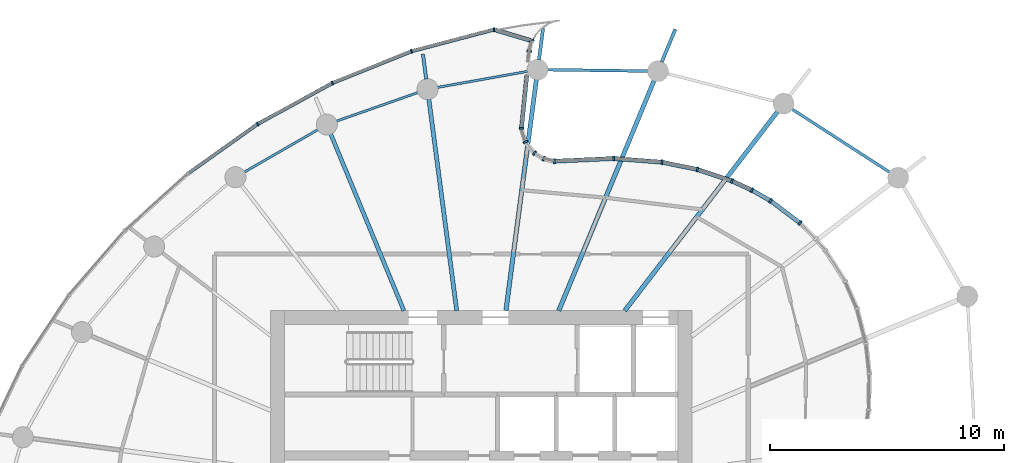
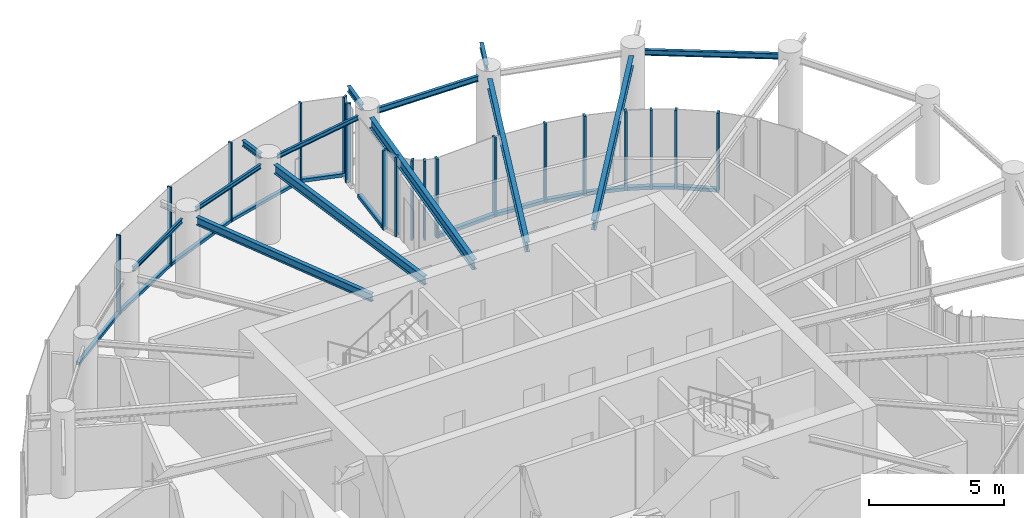
# One storey, part 7 of 17: 31 members, 13 beams, 4 elements without a shape of their own.
"""IFC4 building model written with IfcOpenShell, lengths in metres."""

from ifc_helpers import new_model, si_unit, direction, frame, origin, origin_2d, place, context, subcontext, project, spatial, rectangle, i_section, extrude, source, transform, mapped, material, layer, layer_set, material_profile, profile_set, type_object, element, aggregate, save


model = new_model("IFC4")

# Units and contexts
model_context = context("Model", 3, precision=1e-05, world=origin(), true_north=direction((0.0, 1.0)))
body_context = subcontext(model_context, "Body", "Model", "MODEL_VIEW")
ifc_project = project(units=[si_unit("LENGTHUNIT", "METRE"), si_unit("AREAUNIT", "SQUARE_METRE"), si_unit("VOLUMEUNIT", "CUBIC_METRE"), si_unit("PLANEANGLEUNIT", "RADIAN"), si_unit("MASSUNIT", "GRAM", prefix="KILO")], contexts=[model_context])

# Site, building, storey
site_placement = place(None, origin())
site = spatial("IfcSite", under=ifc_project, at=site_placement, CompositionType="ELEMENT")
building_placement = place(site_placement, origin())
building = spatial("IfcBuilding", under=site, at=building_placement, Name="Spindrift Exchange Tower", CompositionType="ELEMENT")
storey_placement = place(building_placement, frame((0.0, 0.0, 187.699951171875)))
storey = spatial("IfcBuildingStorey", under=building, at=storey_placement, Name="L45", CompositionType="ELEMENT", Elevation=187.699951171875)

# Beams
ifc_material_1 = material(Name="Steel Grade 300", Category="steel")
ifc_material_profile_1 = material_profile(ifc_material_1, i_section(OverallWidth=0.18994140625, OverallDepth=0.4541015625, WebThickness=0.008544921875, FlangeThickness=0.0126953125, FilletRadius=0.013916015625, at=origin_2d()), Name="460UB67.1")
ifc_profile_set_1 = profile_set([ifc_material_profile_1], Name="Steel Grade 300")
beam_type_1 = type_object("IfcBeamType", Name="Floor Beam 460UB67.1 Steel Grade 300", PredefinedType="BEAM", material=ifc_profile_set_1)
shared_shape_1 = source(origin(), body_context, "Body", "SweptSolid", [
    extrude(i_section(OverallWidth=0.18994140625, OverallDepth=0.4541015625, WebThickness=0.008544921875, FlangeThickness=0.0126953125, FilletRadius=0.013916015625, at=origin_2d()), origin(), (0.0, 0.0, 1.0), 10.711181640625),
])
beam_1_placement = place(storey_placement, frame((58.12646484375, 55.984130859375, 3.35302734375), z_axis=(0.608756401092, 0.793357198322, 0.0), x_axis=(-0.793357198322, 0.608756401092, 0.0)))
element("IfcBeam", 1, at=beam_1_placement, inside=storey, type_object=beam_type_1, Name="L45 radial beam R04A", PredefinedType="BEAM", context=body_context, shape_type="MappedRepresentation", body=[
    mapped(shared_shape_1, transform((0.0, 0.0, 0.0), scale=1.0)),
])
shared_shape_2 = source(origin(), body_context, "Body", "SweptSolid", [
    extrude(i_section(OverallWidth=0.18994140625, OverallDepth=0.4541015625, WebThickness=0.008544921875, FlangeThickness=0.0126953125, FilletRadius=0.013916015625, at=origin_2d()), origin(), (0.0, 0.0, 1.0), 10.64111328125),
])
beam_2_placement = place(storey_placement, frame((55.30615234375, 55.9814453125, 3.35302734375), z_axis=(0.382672627597, 0.923884007919, 0.0), x_axis=(-0.923884007919, 0.382672627597, 0.0)))
element("IfcBeam", 2, at=beam_2_placement, inside=storey, type_object=beam_type_1, Name="L45 radial beam R05A", PredefinedType="BEAM", context=body_context, shape_type="MappedRepresentation", body=[
    mapped(shared_shape_2, transform((0.0, 0.0, 0.0), scale=1.0)),
])
shared_shape_3 = source(origin(), body_context, "Body", "SweptSolid", [
    extrude(i_section(OverallWidth=0.18994140625, OverallDepth=0.4541015625, WebThickness=0.008544921875, FlangeThickness=0.0126953125, FilletRadius=0.013916015625, at=origin_2d()), origin(), (0.0, 0.0, 1.0), 9.95703125),
])
beam_3_placement = place(storey_placement, frame((53.050537109375, 55.980224609375, 3.35302734375), z_axis=(0.130541406635, 0.991442858239, 0.0), x_axis=(-0.991442858239, 0.130541406635, 0.0)))
element("IfcBeam", 3, at=beam_3_placement, inside=storey, type_object=beam_type_1, Name="L45 radial beam R06A", PredefinedType="BEAM", context=body_context, shape_type="MappedRepresentation", body=[
    mapped(shared_shape_3, transform((0.0, 0.0, 0.0), scale=1.0)),
])
ifc_material_profile_2 = material_profile(ifc_material_1, i_section(OverallWidth=0.177978515625, OverallDepth=0.403076171875, WebThickness=0.007568359375, FlangeThickness=0.010986328125, FilletRadius=0.013916015625, at=origin_2d()), Name="410UB53.7")
ifc_profile_set_2 = profile_set([ifc_material_profile_2], Name="Steel Grade 300")
beam_type_2 = type_object("IfcBeamType", Name="Floor Beam 410UB53.7 Steel Grade 300", PredefinedType="BEAM", material=ifc_profile_set_2)
shared_shape_4 = source(origin(), body_context, "Body", "SweptSolid", [
    extrude(i_section(OverallWidth=0.177978515625, OverallDepth=0.403076171875, WebThickness=0.007568359375, FlangeThickness=0.010986328125, FilletRadius=0.013916015625, at=origin_2d()), origin(), (0.0, 0.0, 1.0), 9.11376953125),
])
beam_4_placement = place(storey_placement, frame((50.949462890625, 55.980224609375, 3.378662109375), z_axis=(-0.130536972606, 0.991443442049, 0.0), x_axis=(-0.991443442049, -0.130536972606, 0.0)))
element("IfcBeam", 4, at=beam_4_placement, inside=storey, type_object=beam_type_2, Name="L45 radial beam R07A", PredefinedType="BEAM", context=body_context, shape_type="MappedRepresentation", body=[
    mapped(shared_shape_4, transform((0.0, 0.0, 0.0), scale=1.0)),
])
ifc_material_profile_3 = material_profile(ifc_material_1, i_section(OverallWidth=0.1708984375, OverallDepth=0.35205078125, WebThickness=0.0068359375, FlangeThickness=0.009765625, FilletRadius=0.013916015625, at=origin_2d()), Name="360UB44.7")
ifc_profile_set_3 = profile_set([ifc_material_profile_3], Name="Steel Grade 300")
beam_type_3 = type_object("IfcBeamType", Name="Floor Beam 360UB44.7 Steel Grade 300", PredefinedType="BEAM", material=ifc_profile_set_3)
shared_shape_5 = source(origin(), body_context, "Body", "SweptSolid", [
    extrude(i_section(OverallWidth=0.1708984375, OverallDepth=0.35205078125, WebThickness=0.0068359375, FlangeThickness=0.009765625, FilletRadius=0.013916015625, at=origin_2d()), origin(), (0.0, 0.0, 1.0), 8.1748046875),
])
beam_5_placement = place(storey_placement, frame((48.69384765625, 55.9814453125, 3.404052734375), z_axis=(-0.382655117626, 0.923891260352, 0.0), x_axis=(-0.923891260352, -0.382655117626, 0.0)))
element("IfcBeam", 5, at=beam_5_placement, inside=storey, type_object=beam_type_3, Name="L45 radial beam R08A", PredefinedType="BEAM", context=body_context, shape_type="MappedRepresentation", body=[
    mapped(shared_shape_5, transform((0.0, 0.0, 0.0), scale=1.0)),
])
ifc_material_profile_4 = material_profile(ifc_material_1, i_section(OverallWidth=0.1240234375, OverallDepth=0.248046875, WebThickness=0.0048828125, FlangeThickness=0.008056640625, FilletRadius=0.011962890625, at=origin_2d()), Name="250UB25.7")
ifc_profile_set_4 = profile_set([ifc_material_profile_4], Name="Steel Grade 300")
beam_type_4 = type_object("IfcBeamType", Name="Edge Beam 250UB25.7 Steel Grade 300", PredefinedType="SPANDREL", material=ifc_profile_set_4)
shared_shape_6 = source(origin(), body_context, "Body", "SweptSolid", [
    extrude(i_section(OverallWidth=0.1240234375, OverallDepth=0.248046875, WebThickness=0.0048828125, FlangeThickness=0.008056640625, FilletRadius=0.011962890625, at=origin_2d()), origin(), (0.0, 0.0, 1.0), 4.966552734375),
])
beam_6_placement = place(storey_placement, frame((69.44091796875, 61.893310546875, 3.4560546875), z_axis=(-0.839802198579, 0.54289250065, 0.0), x_axis=(-0.54289250065, -0.839802198579, 0.0)))
element("IfcBeam", 6, at=beam_6_placement, inside=storey, type_object=beam_type_4, Name="L45 edge beam E03", PredefinedType="SPANDREL", context=body_context, shape_type="MappedRepresentation", body=[
    mapped(shared_shape_6, transform((0.0, 0.0, 0.0), scale=1.0)),
])
shared_shape_7 = source(origin(), body_context, "Body", "SweptSolid", [
    extrude(i_section(OverallWidth=0.1240234375, OverallDepth=0.248046875, WebThickness=0.0048828125, FlangeThickness=0.008056640625, FilletRadius=0.011962890625, at=origin_2d()), origin(), (0.0, 0.0, 1.0), 4.27685546875),
])
beam_7_placement = place(storey_placement, frame((59.11279296875, 66.21533203125, 3.4560546875), z_axis=(-0.999910013527, 0.013415097807, 0.0), x_axis=(-0.013415097807, -0.999910013527, 0.0)))
element("IfcBeam", 7, at=beam_7_placement, inside=storey, type_object=beam_type_4, Name="L45 edge beam E05", PredefinedType="SPANDREL", context=body_context, shape_type="MappedRepresentation", body=[
    mapped(shared_shape_7, transform((0.0, 0.0, 0.0), scale=1.0)),
])
ifc_material_profile_5 = material_profile(ifc_material_1, i_section(OverallWidth=0.09912109375, OverallDepth=0.197998046875, WebThickness=0.00439453125, FlangeThickness=0.007080078125, FilletRadius=0.010986328125, at=origin_2d()), Name="200UB18.2")
ifc_profile_set_5 = profile_set([ifc_material_profile_5], Name="Steel Grade 300")
beam_type_5 = type_object("IfcBeamType", Name="Edge Beam 200UB18.2 Steel Grade 300", PredefinedType="SPANDREL", material=ifc_profile_set_5)
shared_shape_8 = source(origin(), body_context, "Body", "SweptSolid", [
    extrude(i_section(OverallWidth=0.09912109375, OverallDepth=0.197998046875, WebThickness=0.00439453125, FlangeThickness=0.007080078125, FilletRadius=0.010986328125, at=origin_2d()), origin(), (0.0, 0.0, 1.0), 3.916259765625),
])
beam_8_placement = place(storey_placement, frame((53.98291015625, 66.203125, 3.48095703125), z_axis=(-0.984558687682, -0.175054821441, 0.0), x_axis=(0.175054821441, -0.984558687682, 0.0)))
element("IfcBeam", 8, at=beam_8_placement, inside=storey, type_object=beam_type_5, Name="L45 edge beam E06", PredefinedType="SPANDREL", context=body_context, shape_type="MappedRepresentation", body=[
    mapped(shared_shape_8, transform((0.0, 0.0, 0.0), scale=1.0)),
])
shared_shape_9 = source(origin(), body_context, "Body", "SweptSolid", [
    extrude(i_section(OverallWidth=0.09912109375, OverallDepth=0.197998046875, WebThickness=0.00439453125, FlangeThickness=0.007080078125, FilletRadius=0.010986328125, at=origin_2d()), origin(), (0.0, 0.0, 1.0), 3.700439453125),
])
beam_9_placement = place(storey_placement, frame((49.298095703125, 65.300048828125, 3.48095703125), z_axis=(-0.943515334916, -0.331328858957, 0.0), x_axis=(0.331328858957, -0.943515334916, 0.0)))
element("IfcBeam", 9, at=beam_9_placement, inside=storey, type_object=beam_type_5, Name="L45 edge beam E07", PredefinedType="SPANDREL", context=body_context, shape_type="MappedRepresentation", body=[
    mapped(shared_shape_9, transform((0.0, 0.0, 0.0), scale=1.0)),
])
shared_shape_10 = source(origin(), body_context, "Body", "SweptSolid", [
    extrude(i_section(OverallWidth=0.09912109375, OverallDepth=0.197998046875, WebThickness=0.00439453125, FlangeThickness=0.007080078125, FilletRadius=0.010986328125, at=origin_2d()), origin(), (0.0, 0.0, 1.0), 3.64208984375),
])
beam_10_placement = place(storey_placement, frame((45.028564453125, 63.716552734375, 3.48095703125), z_axis=(-0.866364093123, -0.499412913476, 0.0), x_axis=(0.499412913476, -0.866364093123, 0.0)))
element("IfcBeam", 10, at=beam_10_placement, inside=storey, type_object=beam_type_5, Name="L45 edge beam E08", PredefinedType="SPANDREL", context=body_context, shape_type="MappedRepresentation", body=[
    mapped(shared_shape_10, transform((0.0, 0.0, 0.0), scale=1.0)),
])
ifc_material_profile_6 = material_profile(ifc_material_1, i_section(OverallWidth=0.14599609375, OverallDepth=0.251953125, WebThickness=0.006103515625, FlangeThickness=0.008544921875, FilletRadius=0.011962890625, at=origin_2d()), Name="250UB31.4")
ifc_profile_set_6 = profile_set([ifc_material_profile_6], Name="Steel Grade 300")
beam_type_6 = type_object("IfcBeamType", Name="Cantilever Beam 250UB31.4 Steel Grade 300", PredefinedType="BEAM", material=ifc_profile_set_6)
shared_shape_11 = source(origin(), body_context, "Body", "SweptSolid", [
    extrude(i_section(OverallWidth=0.14599609375, OverallDepth=0.251953125, WebThickness=0.006103515625, FlangeThickness=0.008544921875, FilletRadius=0.011962890625, at=origin_2d()), origin(), (0.0, 0.0, 1.0), 1.5087890625),
])
beam_11_placement = place(storey_placement, frame((59.707275390625, 66.60693359375, 3.4541015625), z_axis=(0.382661412392, 0.923888653175, 0.0), x_axis=(-0.923888653175, 0.382661412392, 0.0)))
element("IfcBeam", 11, at=beam_11_placement, inside=storey, type_object=beam_type_6, Name="L45 cantilever beam R05T", PredefinedType="BEAM", context=body_context, shape_type="MappedRepresentation", body=[
    mapped(shared_shape_11, transform((0.0, 0.0, 0.0), scale=1.0)),
])
shared_shape_12 = source(origin(), body_context, "Body", "SweptSolid", [
    extrude(i_section(OverallWidth=0.14599609375, OverallDepth=0.251953125, WebThickness=0.006103515625, FlangeThickness=0.008544921875, FilletRadius=0.011962890625, at=origin_2d()), origin(), (0.0, 0.0, 1.0), 1.345703125),
])
beam_12_placement = place(storey_placement, frame((54.46240234375, 66.70458984375, 3.4541015625), z_axis=(0.130618759846, 0.991432670218, 0.0), x_axis=(-0.991432670218, 0.130618759846, 0.0)))
element("IfcBeam", 12, at=beam_12_placement, inside=storey, type_object=beam_type_6, Name="L45 cantilever beam R06T", PredefinedType="BEAM", context=body_context, shape_type="MappedRepresentation", body=[
    mapped(shared_shape_12, transform((0.0, 0.0, 0.0), scale=1.0)),
])
shared_shape_13 = source(origin(), body_context, "Body", "SweptSolid", [
    extrude(i_section(OverallWidth=0.14599609375, OverallDepth=0.251953125, WebThickness=0.006103515625, FlangeThickness=0.008544921875, FilletRadius=0.011962890625, at=origin_2d()), origin(), (0.0, 0.0, 1.0), 1.087158203125),
])
beam_13_placement = place(storey_placement, frame((49.6474609375, 65.868896484375, 3.4541015625), z_axis=(-0.130471939608, 0.991452002356, 0.0), x_axis=(-0.991452002356, -0.130471939608, 0.0)))
element("IfcBeam", 13, at=beam_13_placement, inside=storey, type_object=beam_type_6, Name="L45 cantilever beam R07T", PredefinedType="BEAM", context=body_context, shape_type="MappedRepresentation", body=[
    mapped(shared_shape_13, transform((0.0, 0.0, 0.0), scale=1.0)),
])

# Curtain wall, member
ifc_material_2 = material(Name="Fritted laminated glass with bronze frame", Category="glass")
ifc_layer_1 = layer(ifc_material_2, 0.199951171875)
ifc_layer_set_1 = layer_set([ifc_layer_1], Name="SKY GARDEN BRONZE GLAZED WALL")
curtain_wall_type_1 = type_object("IfcCurtainWallType", Name="SKY GARDEN BRONZE GLAZED WALL", PredefinedType="NOTDEFINED", material=ifc_layer_set_1)
curtain_wall_1_placement = place(storey_placement, origin())
curtain_wall_1 = element("IfcCurtainWall", 14, at=curtain_wall_1_placement, inside=storey, type_object=curtain_wall_type_1, Name="L45 Sky Garden Bronze Glazed Wall run 8", PredefinedType="NOTDEFINED")
ifc_material_3 = material(Name="Bronze anodised aluminium", Category="aluminium")
ifc_material_profile_7 = material_profile(ifc_material_3, rectangle(XDim=0.0849609375, YDim=0.199951171875, at=origin_2d()), Name="SKY GARDEN BRONZE GLAZED WALL MULLION 85X200")
ifc_profile_set_7 = profile_set([ifc_material_profile_7], Name="Bronze anodised aluminium")
member_type_1 = type_object("IfcMemberType", Name="SKY GARDEN BRONZE GLAZED WALL MULLION 85X200", PredefinedType="MULLION", material=ifc_profile_set_7)
shared_shape_14 = source(origin(), body_context, "Body", "SweptSolid", [
    extrude(rectangle(XDim=0.0849609375, YDim=0.199951171875, at=origin_2d()), origin(), (0.0, 0.0, 1.0), 3.580078125),
])
member_1_placement = place(storey_placement, frame((65.61083984375, 59.72509765625, 0.0), z_axis=(0.0, 0.0, 1.0), x_axis=(-0.755314352196, 0.655362670104, 0.0)))
member_1 = element("IfcMember", 15, at=member_1_placement, type_object=member_type_1, Name="L45 mullion CW-G.43", PredefinedType="MULLION", context=body_context, shape_type="MappedRepresentation", body=[
    mapped(shared_shape_14, transform((0.0, 0.0, 0.0), scale=1.0)),
])

# Curtain wall, members
curtain_wall_2_placement = place(storey_placement, origin())
curtain_wall_2 = element("IfcCurtainWall", 16, at=curtain_wall_2_placement, inside=storey, type_object=curtain_wall_type_1, Name="L45 Sky Garden Bronze Glazed Wall run 9", PredefinedType="NOTDEFINED")
member_2_placement = place(storey_placement, frame((64.35498046875, 60.672607421875, 0.0), z_axis=(0.0, 0.0, 1.0), x_axis=(-0.835070721652, 0.550142608639, 0.0)))
member_2 = element("IfcMember", 17, at=member_2_placement, type_object=member_type_1, Name="L45 mullion CW-G.44", PredefinedType="MULLION", context=body_context, shape_type="MappedRepresentation", body=[
    mapped(shared_shape_14, transform((0.0, 0.0, 0.0), scale=1.0)),
])
member_3_placement = place(storey_placement, frame((63.554931640625, 61.12939453125, 0.0), z_axis=(0.0, 0.0, 1.0), x_axis=(-0.889389767364, 0.457149692889, 0.0)))
member_3 = element("IfcMember", 18, at=member_3_placement, type_object=member_type_1, Name="L45 mullion CW-G.45", PredefinedType="MULLION", context=body_context, shape_type="MappedRepresentation", body=[
    mapped(shared_shape_14, transform((0.0, 0.0, 0.0), scale=1.0)),
])
member_4_placement = place(storey_placement, frame((62.699951171875, 61.522216796875, 0.0), z_axis=(0.0, 0.0, 1.0), x_axis=(-0.929925034446, 0.367749140463, 0.0)))
member_4 = element("IfcMember", 19, at=member_4_placement, type_object=member_type_1, Name="L45 mullion CW-G.46", PredefinedType="MULLION", context=body_context, shape_type="MappedRepresentation", body=[
    mapped(shared_shape_14, transform((0.0, 0.0, 0.0), scale=1.0)),
])
member_5_placement = place(storey_placement, frame((61.226318359375, 62.0146484375, 0.0), z_axis=(0.0, 0.0, 1.0), x_axis=(-0.965936164276, 0.258780460128, 0.0)))
member_5 = element("IfcMember", 20, at=member_5_placement, type_object=member_type_1, Name="L45 mullion CW-G.47", PredefinedType="MULLION", context=body_context, shape_type="MappedRepresentation", body=[
    mapped(shared_shape_14, transform((0.0, 0.0, 0.0), scale=1.0)),
])
member_6_placement = place(storey_placement, frame((59.71533203125, 62.322509765625, 0.0), z_axis=(0.0, 0.0, 1.0), x_axis=(-0.990335131094, 0.138695090471, 0.0)))
member_6 = element("IfcMember", 21, at=member_6_placement, type_object=member_type_1, Name="L45 mullion CW-G.48", PredefinedType="MULLION", context=body_context, shape_type="MappedRepresentation", body=[
    mapped(shared_shape_14, transform((0.0, 0.0, 0.0), scale=1.0)),
])
member_7_placement = place(storey_placement, frame((57.65185546875, 62.482177734375, 0.0), z_axis=(0.0, 0.0, 1.0), x_axis=(-0.999879756404, 0.015507183284, 0.0)))
member_7 = element("IfcMember", 22, at=member_7_placement, type_object=member_type_1, Name="L45 mullion CW-G.49", PredefinedType="MULLION", context=body_context, shape_type="MappedRepresentation", body=[
    mapped(shared_shape_14, transform((0.0, 0.0, 0.0), scale=1.0)),
])

curtain_wall_3_placement = place(storey_placement, origin())
curtain_wall_3 = element("IfcCurtainWall", 23, at=curtain_wall_3_placement, inside=storey, type_object=curtain_wall_type_1, Name="L45 Sky Garden Bronze Glazed Wall run 10", PredefinedType="NOTDEFINED")
member_8_placement = place(storey_placement, frame((55.11767578125, 62.364990234375, 0.0), z_axis=(0.0, 0.0, 1.0), x_axis=(-0.99523574023, 0.097497801869, 0.0)))
member_8 = element("IfcMember", 24, at=member_8_placement, type_object=member_type_1, Name="L45 mullion CW-G.50", PredefinedType="MULLION", context=body_context, shape_type="MappedRepresentation", body=[
    mapped(shared_shape_14, transform((0.0, 0.0, 0.0), scale=1.0)),
])
member_9_placement = place(storey_placement, frame((54.66650390625, 62.476318359375, 0.0), z_axis=(0.0, 0.0, 1.0), x_axis=(-0.924518956096, 0.381136064705, 0.0)))
member_9 = element("IfcMember", 25, at=member_9_placement, type_object=member_type_1, Name="L45 mullion CW-G.51", PredefinedType="MULLION", context=body_context, shape_type="MappedRepresentation", body=[
    mapped(shared_shape_14, transform((0.0, 0.0, 0.0), scale=1.0)),
])
member_10_placement = place(storey_placement, frame((54.2724609375, 62.712890625, 0.0), z_axis=(0.0, 0.0, 1.0), x_axis=(-0.75553506848, 0.655108205029, 0.0)))
member_10 = element("IfcMember", 26, at=member_10_placement, type_object=member_type_1, Name="L45 mullion CW-G.52", PredefinedType="MULLION", context=body_context, shape_type="MappedRepresentation", body=[
    mapped(shared_shape_14, transform((0.0, 0.0, 0.0), scale=1.0)),
])
member_11_placement = place(storey_placement, frame((53.88671875, 63.18701171875, 0.0), z_axis=(0.0, 0.0, 1.0), x_axis=(-0.465543418837, 0.885025042119, 0.0)))
member_11 = element("IfcMember", 27, at=member_11_placement, type_object=member_type_1, Name="L45 mullion CW-G.53", PredefinedType="MULLION", context=body_context, shape_type="MappedRepresentation", body=[
    mapped(shared_shape_14, transform((0.0, 0.0, 0.0), scale=1.0)),
])
member_12_placement = place(storey_placement, frame((53.714599609375, 63.7734375, 0.0), z_axis=(0.0, 0.0, 1.0), x_axis=(-0.092521792683, 0.995710659719, 0.0)))
member_12 = element("IfcMember", 28, at=member_12_placement, type_object=member_type_1, Name="L45 mullion CW-G.54", PredefinedType="MULLION", context=body_context, shape_type="MappedRepresentation", body=[
    mapped(shared_shape_14, transform((0.0, 0.0, 0.0), scale=1.0)),
])
member_13_placement = place(storey_placement, frame((54.046142578125, 67.063720703125, 0.0), z_axis=(0.0, 0.0, 1.0), x_axis=(0.177720981873, 0.984080917711, 0.0)))
member_13 = element("IfcMember", 29, at=member_13_placement, type_object=member_type_1, Name="L45 mullion CW-G.55", PredefinedType="MULLION", context=body_context, shape_type="MappedRepresentation", body=[
    mapped(shared_shape_14, transform((0.0, 0.0, 0.0), scale=1.0)),
])
member_14_placement = place(storey_placement, frame((54.161865234375, 67.503662109375, 0.0), z_axis=(0.0, 0.0, 1.0), x_axis=(-0.489236872302, 0.872150951831, 0.0)))
member_14 = element("IfcMember", 30, at=member_14_placement, type_object=member_type_1, Name="L45 mullion CW-G.56", PredefinedType="MULLION", context=body_context, shape_type="MappedRepresentation", body=[
    mapped(shared_shape_14, transform((0.0, 0.0, 0.0), scale=1.0)),
])

ifc_layer_2 = layer(ifc_material_2, 0.169921875)
ifc_layer_set_2 = layer_set([ifc_layer_2], Name="ZONE 4 BRONZE FRITTED WALL")
curtain_wall_type_2 = type_object("IfcCurtainWallType", Name="ZONE 4 BRONZE FRITTED WALL", PredefinedType="NOTDEFINED", material=ifc_layer_set_2)
curtain_wall_4_placement = place(storey_placement, origin())
curtain_wall_4 = element("IfcCurtainWall", 31, at=curtain_wall_4_placement, inside=storey, type_object=curtain_wall_type_2, Name="L45 Zone 4 Bronze Fritted Wall run 1", PredefinedType="NOTDEFINED")
ifc_material_profile_8 = material_profile(ifc_material_3, rectangle(XDim=0.14990234375, YDim=0.125, at=origin_2d()), Name="ZONE 4 BRONZE FRITTED WALL TRANSOM 150X125")
ifc_profile_set_8 = profile_set([ifc_material_profile_8], Name="Bronze anodised aluminium")
member_type_2 = type_object("IfcMemberType", Name="ZONE 4 BRONZE FRITTED WALL TRANSOM 150X125", PredefinedType="USERDEFINED", material=ifc_profile_set_8)
shared_shape_15 = source(origin(), body_context, "Body", "SweptSolid", [
    extrude(rectangle(XDim=0.14990234375, YDim=0.125, at=origin_2d()), origin(), (0.0, 0.0, 1.0), 3.57763671875),
])
member_15_placement = place(storey_placement, frame((48.990966796875, 67.049560546875, 0.0625), z_axis=(-0.927802170808, -0.373072555737, 0.0), x_axis=(0.373072555737, -0.927802170808, 0.0)))
member_15 = element("IfcMember", 32, at=member_15_placement, type_object=member_type_2, Name="L45 transom CW-4.2", ObjectType="TRANSOM", PredefinedType="USERDEFINED", context=body_context, shape_type="MappedRepresentation", body=[
    mapped(shared_shape_15, transform((0.0, 0.0, 0.0), scale=1.0)),
])
member_16_placement = place(storey_placement, frame((45.613037109375, 65.68701171875, 0.0625), z_axis=(-0.877010009848, -0.480472103901, 0.0), x_axis=(0.480472103901, -0.877010009848, 0.0)))
member_16 = element("IfcMember", 33, at=member_16_placement, type_object=member_type_2, Name="L45 transom CW-4.3", ObjectType="TRANSOM", PredefinedType="USERDEFINED", context=body_context, shape_type="MappedRepresentation", body=[
    mapped(shared_shape_15, transform((0.0, 0.0, 0.0), scale=1.0)),
])
shared_shape_16 = source(origin(), body_context, "Body", "SweptSolid", [
    extrude(rectangle(XDim=0.14990234375, YDim=0.125, at=origin_2d()), origin(), (0.0, 0.0, 1.0), 3.577392578125),
])
member_17_placement = place(storey_placement, frame((52.511962890625, 67.98095703125, 0.0625), z_axis=(-0.967040051988, -0.254624307267, 0.0), x_axis=(0.254624307267, -0.967040051988, 0.0)))
member_17 = element("IfcMember", 34, at=member_17_placement, type_object=member_type_2, Name="L45 transom CW-4.1", ObjectType="TRANSOM", PredefinedType="USERDEFINED", context=body_context, shape_type="MappedRepresentation", body=[
    mapped(shared_shape_16, transform((0.0, 0.0, 0.0), scale=1.0)),
])

# Member
ifc_material_profile_9 = material_profile(ifc_material_3, rectangle(XDim=0.179931640625, YDim=0.14990234375, at=origin_2d()), Name="SKY GARDEN BRONZE GLAZED WALL TRANSOM 180X150")
ifc_profile_set_9 = profile_set([ifc_material_profile_9], Name="Bronze anodised aluminium")
member_type_3 = type_object("IfcMemberType", Name="SKY GARDEN BRONZE GLAZED WALL TRANSOM 180X150", PredefinedType="USERDEFINED", material=ifc_profile_set_9)
shared_shape_17 = source(origin(), body_context, "Body", "SweptSolid", [
    extrude(rectangle(XDim=0.179931640625, YDim=0.14990234375, at=origin_2d()), origin(), (0.0, 0.0, 1.0), 1.488037109375),
])
member_18_placement = place(storey_placement, frame((65.576904296875, 59.750732421875, 0.074951171875), z_axis=(-0.79830374171, 0.602255042297, 0.0), x_axis=(-0.602255042297, -0.79830374171, 0.0)))
member_18 = element("IfcMember", 35, at=member_18_placement, type_object=member_type_3, Name="L45 transom CW-G.43", ObjectType="TRANSOM", PredefinedType="USERDEFINED", context=body_context, shape_type="MappedRepresentation", body=[
    mapped(shared_shape_17, transform((0.0, 0.0, 0.0), scale=1.0)),
])

aggregate(curtain_wall_1, [member_1, member_18])

shared_shape_18 = source(origin(), body_context, "Body", "SweptSolid", [
    extrude(rectangle(XDim=0.179931640625, YDim=0.14990234375, at=origin_2d()), origin(), (0.0, 0.0, 1.0), 0.836181640625),
])
member_19_placement = place(storey_placement, frame((64.31787109375, 60.693603515625, 0.074951171875), z_axis=(-0.868297037805, 0.496044609022, 0.0), x_axis=(-0.496044609022, -0.868297037805, 0.0)))
member_19 = element("IfcMember", 36, at=member_19_placement, type_object=member_type_3, Name="L45 transom CW-G.44", ObjectType="TRANSOM", PredefinedType="USERDEFINED", context=body_context, shape_type="MappedRepresentation", body=[
    mapped(shared_shape_18, transform((0.0, 0.0, 0.0), scale=1.0)),
])

shared_shape_19 = source(origin(), body_context, "Body", "SweptSolid", [
    extrude(rectangle(XDim=0.179931640625, YDim=0.14990234375, at=origin_2d()), origin(), (0.0, 0.0, 1.0), 0.85595703125),
])
member_20_placement = place(storey_placement, frame((63.516357421875, 61.147216796875, 0.074951171875), z_axis=(-0.908659297451, 0.417538358904, 0.0), x_axis=(-0.417538358904, -0.908659297451, 0.0)))
member_20 = element("IfcMember", 37, at=member_20_placement, type_object=member_type_3, Name="L45 transom CW-G.45", ObjectType="TRANSOM", PredefinedType="USERDEFINED", context=body_context, shape_type="MappedRepresentation", body=[
    mapped(shared_shape_19, transform((0.0, 0.0, 0.0), scale=1.0)),
])

shared_shape_20 = source(origin(), body_context, "Body", "SweptSolid", [
    extrude(rectangle(XDim=0.179931640625, YDim=0.14990234375, at=origin_2d()), origin(), (0.0, 0.0, 1.0), 1.46875),
])
member_21_placement = place(storey_placement, frame((62.65966796875, 61.535888671875, 0.074951171875), z_axis=(-0.94848363852, 0.316826115496, 0.0), x_axis=(-0.316826115496, -0.94848363852, 0.0)))
member_21 = element("IfcMember", 38, at=member_21_placement, type_object=member_type_3, Name="L45 transom CW-G.46", ObjectType="TRANSOM", PredefinedType="USERDEFINED", context=body_context, shape_type="MappedRepresentation", body=[
    mapped(shared_shape_20, transform((0.0, 0.0, 0.0), scale=1.0)),
])

shared_shape_21 = source(origin(), body_context, "Body", "SweptSolid", [
    extrude(rectangle(XDim=0.179931640625, YDim=0.14990234375, at=origin_2d()), origin(), (0.0, 0.0, 1.0), 1.984619140625),
])
member_22_placement = place(storey_placement, frame((59.673095703125, 62.325927734375, 0.074951171875), z_axis=(-0.997021105708, 0.077129208301, 0.0), x_axis=(-0.077129208301, -0.997021105708, 0.0)))
member_22 = element("IfcMember", 39, at=member_22_placement, type_object=member_type_3, Name="L45 transom CW-G.48", ObjectType="TRANSOM", PredefinedType="USERDEFINED", context=body_context, shape_type="MappedRepresentation", body=[
    mapped(shared_shape_21, transform((0.0, 0.0, 0.0), scale=1.0)),
])

shared_shape_22 = source(origin(), body_context, "Body", "SweptSolid", [
    extrude(rectangle(XDim=0.179931640625, YDim=0.14990234375, at=origin_2d()), origin(), (0.0, 0.0, 1.0), 2.451904296875),
])
member_23_placement = place(storey_placement, frame((57.609375, 62.480224609375, 0.074951171875), z_axis=(-0.998932089631, -0.046202600637, 0.0), x_axis=(0.046202600637, -0.998932089631, 0.0)))
member_23 = element("IfcMember", 40, at=member_23_placement, type_object=member_type_3, Name="L45 transom CW-G.49", ObjectType="TRANSOM", PredefinedType="USERDEFINED", context=body_context, shape_type="MappedRepresentation", body=[
    mapped(shared_shape_22, transform((0.0, 0.0, 0.0), scale=1.0)),
])

ifc_material_profile_10 = material_profile(ifc_material_3, rectangle(XDim=0.06494140625, YDim=0.169921875, at=origin_2d()), Name="ZONE 4 BRONZE FRITTED WALL MULLION 65X170")
ifc_profile_set_10 = profile_set([ifc_material_profile_10], Name="Bronze anodised aluminium")
member_type_4 = type_object("IfcMemberType", Name="ZONE 4 BRONZE FRITTED WALL MULLION 65X170", PredefinedType="MULLION", material=ifc_profile_set_10)
shared_shape_23 = source(origin(), body_context, "Body", "SweptSolid", [
    extrude(rectangle(XDim=0.06494140625, YDim=0.169921875, at=origin_2d()), origin(), (0.0, 0.0, 1.0), 3.580078125),
])
member_24_placement = place(storey_placement, frame((52.54345703125, 67.9892578125, 0.0), z_axis=(0.0, 0.0, 1.0), x_axis=(-0.999855293342, 0.017011536554, 0.0)))
member_24 = element("IfcMember", 41, at=member_24_placement, type_object=member_type_4, Name="L45 mullion CW-4.1", PredefinedType="MULLION", context=body_context, shape_type="MappedRepresentation", body=[
    mapped(shared_shape_23, transform((0.0, 0.0, 0.0), scale=1.0)),
])

member_25_placement = place(storey_placement, frame((49.02099609375, 67.061767578125, 0.0), z_axis=(0.0, 0.0, 1.0), x_axis=(-0.949261474171, -0.314487922906, 0.0)))
member_25 = element("IfcMember", 42, at=member_25_placement, type_object=member_type_4, Name="L45 mullion CW-4.2", PredefinedType="MULLION", context=body_context, shape_type="MappedRepresentation", body=[
    mapped(shared_shape_23, transform((0.0, 0.0, 0.0), scale=1.0)),
])

member_26_placement = place(storey_placement, frame((45.6416015625, 65.70263671875, 0.0), z_axis=(0.0, 0.0, 1.0), x_axis=(-0.903990336037, -0.427552888369, 0.0)))
member_26 = element("IfcMember", 43, at=member_26_placement, type_object=member_type_4, Name="L45 mullion CW-4.3", PredefinedType="MULLION", context=body_context, shape_type="MappedRepresentation", body=[
    mapped(shared_shape_23, transform((0.0, 0.0, 0.0), scale=1.0)),
])

member_27_placement = place(storey_placement, frame((42.44677734375, 63.952392578125, 0.0), z_axis=(0.0, 0.0, 1.0), x_axis=(-0.847554386414, -0.5307085472, 0.0)))
member_27 = element("IfcMember", 44, at=member_27_placement, type_object=member_type_4, Name="L45 mullion CW-4.4", PredefinedType="MULLION", context=body_context, shape_type="MappedRepresentation", body=[
    mapped(shared_shape_23, transform((0.0, 0.0, 0.0), scale=1.0)),
])

shared_shape_24 = source(origin(), body_context, "Body", "SweptSolid", [
    extrude(rectangle(XDim=0.14990234375, YDim=0.125, at=origin_2d()), origin(), (0.0, 0.0, 1.0), 3.578125),
])
member_28_placement = place(storey_placement, frame((42.42041015625, 63.93359375, 0.0625), z_axis=(-0.815256704913, -0.579099736742, 0.0), x_axis=(0.579099736742, -0.815256704913, 0.0)))
member_28 = element("IfcMember", 45, at=member_28_placement, type_object=member_type_2, Name="L45 transom CW-4.4", ObjectType="TRANSOM", PredefinedType="USERDEFINED", context=body_context, shape_type="MappedRepresentation", body=[
    mapped(shared_shape_24, transform((0.0, 0.0, 0.0), scale=1.0)),
])

aggregate(curtain_wall_4, [member_24, member_17, member_25, member_15, member_26, member_16, member_27, member_28])

shared_shape_25 = source(origin(), body_context, "Body", "SweptSolid", [
    extrude(rectangle(XDim=0.179931640625, YDim=0.14990234375, at=origin_2d()), origin(), (0.0, 0.0, 1.0), 1.456787109375),
])
member_29_placement = place(storey_placement, frame((61.1845703125, 62.023193359375, 0.074951171875), z_axis=(-0.979845581083, 0.199756444784, 0.0), x_axis=(-0.199756444784, -0.979845581083, 0.0)))
member_29 = element("IfcMember", 46, at=member_29_placement, type_object=member_type_3, Name="L45 transom CW-G.47", ObjectType="TRANSOM", PredefinedType="USERDEFINED", context=body_context, shape_type="MappedRepresentation", body=[
    mapped(shared_shape_25, transform((0.0, 0.0, 0.0), scale=1.0)),
])

aggregate(curtain_wall_2, [member_2, member_19, member_3, member_20, member_4, member_21, member_5, member_29, member_6, member_22, member_7, member_23])

shared_shape_26 = source(origin(), body_context, "Body", "SweptSolid", [
    extrude(rectangle(XDim=0.179931640625, YDim=0.14990234375, at=origin_2d()), origin(), (0.0, 0.0, 1.0), 2.22119140625),
])
member_30_placement = place(storey_placement, frame((53.71875, 63.815673828125, 0.074951171875), z_axis=(0.100352532492, 0.994951943172, 0.0), x_axis=(-0.994951943172, 0.100352532492, 0.0)))
member_30 = element("IfcMember", 47, at=member_30_placement, type_object=member_type_3, Name="L45 transom CW-G.54", ObjectType="TRANSOM", PredefinedType="USERDEFINED", context=body_context, shape_type="MappedRepresentation", body=[
    mapped(shared_shape_26, transform((0.0, 0.0, 0.0), scale=1.0)),
])

shared_shape_27 = source(origin(), body_context, "Body", "SweptSolid", [
    extrude(rectangle(XDim=0.179931640625, YDim=0.14990234375, at=origin_2d()), origin(), (0.0, 0.0, 1.0), 1.6044921875),
])
member_31_placement = place(storey_placement, frame((54.12109375, 67.515869140625, 0.074951171875), z_axis=(-0.957805344144, 0.287417679919, 0.0), x_axis=(-0.287417679919, -0.957805344144, 0.0)))
member_31 = element("IfcMember", 48, at=member_31_placement, type_object=member_type_3, Name="L45 transom CW-G.56", ObjectType="TRANSOM", PredefinedType="USERDEFINED", context=body_context, shape_type="MappedRepresentation", body=[
    mapped(shared_shape_27, transform((0.0, 0.0, 0.0), scale=1.0)),
])

aggregate(curtain_wall_3, [member_8, member_9, member_10, member_11, member_12, member_30, member_13, member_14, member_31])

save(model, "model.ifc")
